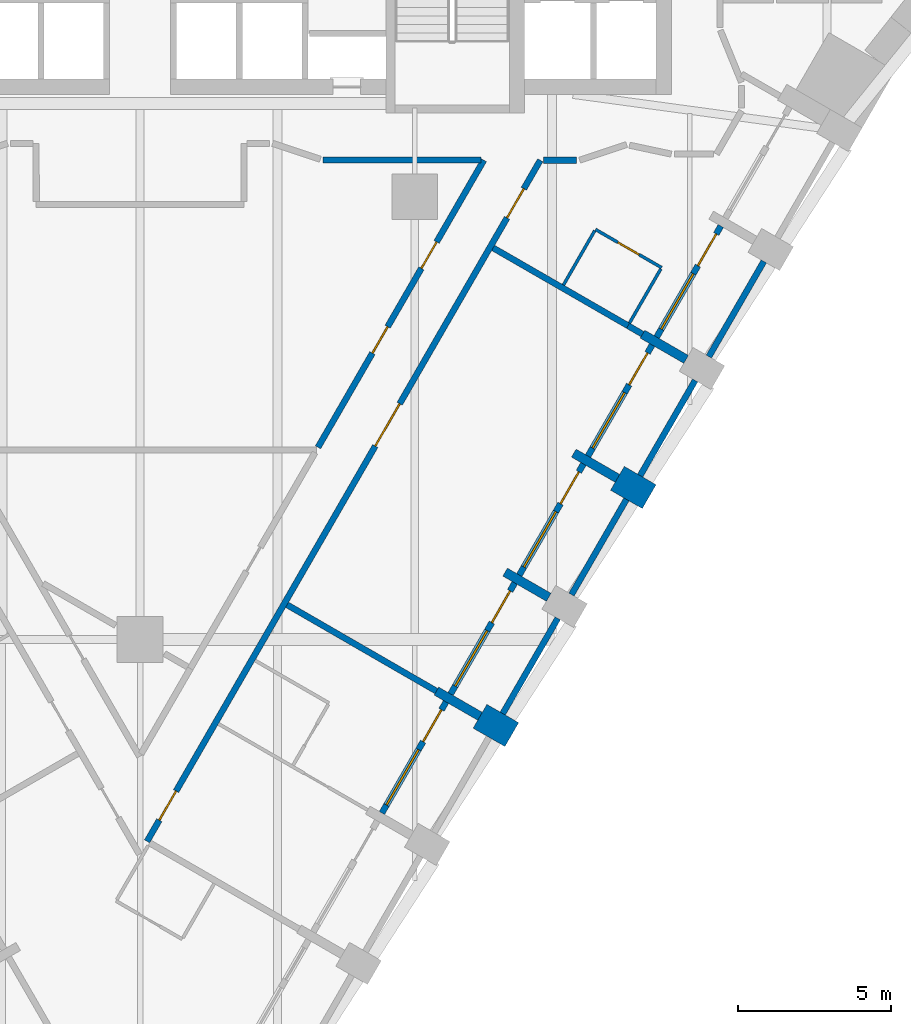
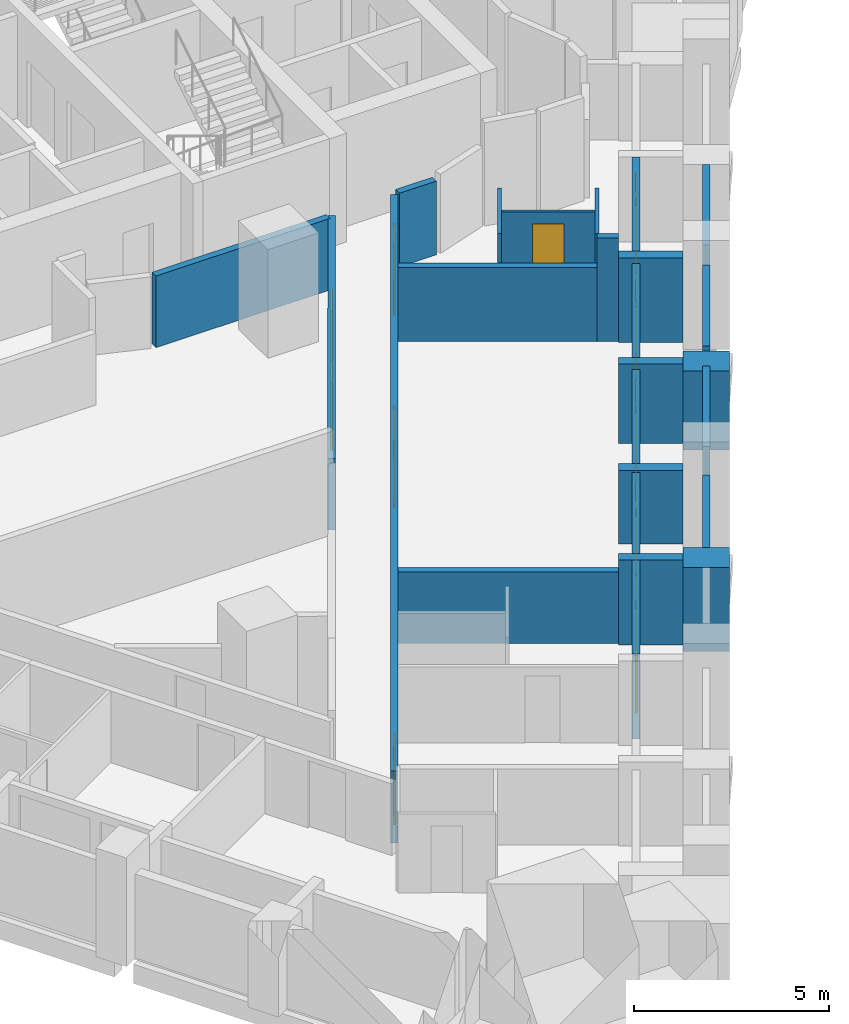
# One storey, part 5 of 11: 25 walls, 11 doors, 5 windows, 16 openings.
"""IFC4 building model written with IfcOpenShell, lengths in metres."""

from ifc_helpers import new_model, si_unit, direction, frame, frame_2d, origin, place, context, subcontext, project, spatial, rectangle, extrude, material, layer, layer_set, type_object, element, fill, save


model = new_model("IFC4")

# Units and contexts
model_context = context("Model", 3, precision=1e-05, world=origin(), true_north=direction((0.0, 1.0)))
body_context = subcontext(model_context, "Body", "Model", "MODEL_VIEW")
ifc_project = project(units=[si_unit("LENGTHUNIT", "METRE"), si_unit("AREAUNIT", "SQUARE_METRE"), si_unit("VOLUMEUNIT", "CUBIC_METRE"), si_unit("PLANEANGLEUNIT", "RADIAN"), si_unit("MASSUNIT", "GRAM", prefix="KILO")], contexts=[model_context])

# Site, building, storey
site_placement = place(None, origin())
site = spatial("IfcSite", under=ifc_project, at=site_placement, CompositionType="ELEMENT")
building_placement = place(site_placement, origin())
building = spatial("IfcBuilding", under=site, at=building_placement, Name="Calabash Gate Tower", CompositionType="ELEMENT")
storey_placement = place(building_placement, frame((0.0, 0.0, 122.39990234375)))
storey = spatial("IfcBuildingStorey", under=building, at=storey_placement, Name="L28", CompositionType="ELEMENT", Elevation=122.39990234375)

# Walls
ifc_material_1 = material(Name="Terracotta brick masonry, exposed face", Category="masonry")
ifc_layer_1 = layer(ifc_material_1, 1.199951171875)
ifc_layer_set_1 = layer_set([ifc_layer_1], Name="Brick end wall 1200")
wall_type_1 = type_object("IfcWallType", Name="Brick end wall 1200", PredefinedType="SOLIDWALL", material=ifc_layer_set_1)
wall_1_placement = place(storey_placement, frame((12.17626953125, -15.114990234375, 0.0), z_axis=(0.0, 0.0, 1.0), x_axis=(-0.866094119867, 0.499880961361, 0.0)))
element("IfcWall", 1, at=wall_1_placement, inside=storey, type_object=wall_type_1, Name="Brick pier S08 SE2.3", PredefinedType="SOLIDWALL", context=body_context, shape_type="SweptSolid", body=[
    extrude(rectangle(XDim=1.199951171875, YDim=0.89990234375, at=frame_2d((0.60009765625, 0.0))), origin(), (0.0, 0.0, 1.0), 2.630126953125),
])
wall_2_placement = place(storey_placement, frame((15.636962890625, -6.720947265625, 0.0), z_axis=(0.0, 0.0, 1.0), x_axis=(0.866094119867, -0.499880961361, 0.0)))
element("IfcWall", 2, at=wall_2_placement, inside=storey, type_object=wall_type_1, Name="Brick pier S08 SE2.5", PredefinedType="SOLIDWALL", context=body_context, shape_type="SweptSolid", body=[
    extrude(rectangle(XDim=1.199951171875, YDim=0.89990234375, at=frame_2d((0.60009765625, 0.0))), origin(), (0.0, 0.0, 1.0), 2.4736328125),
])
ifc_material_2 = material(Name="Terracotta brick masonry, exposed face", Category="masonry")
ifc_layer_2 = layer(ifc_material_2, 0.300048828125)
ifc_layer_set_2 = layer_set([ifc_layer_2], Name="Brick loggia cheek wall 300")
wall_type_2 = type_object("IfcWallType", Name="Brick loggia cheek wall 300", PredefinedType="SOLIDWALL", material=ifc_layer_set_2)
wall_3_placement = place(storey_placement, frame((9.7080078125, -13.690185546875, 0.0), z_axis=(0.0, 0.0, 1.0), x_axis=(0.866040211805, -0.499974350878, 0.0)))
element("IfcWall", 3, at=wall_3_placement, inside=storey, type_object=wall_type_2, Name="Loggia cheek S08 SE2.3", PredefinedType="SOLIDWALL", context=body_context, shape_type="SweptSolid", body=[
    extrude(rectangle(XDim=1.64990234375, YDim=0.300048828125, at=frame_2d((0.824951171875, 0.0))), origin(), (0.0, 0.0, 1.0), 2.650146484375),
])
wall_4_placement = place(storey_placement, frame((11.9580078125, -9.79296875, 0.0), z_axis=(0.0, 0.0, 1.0), x_axis=(0.866040211805, -0.499974350878, 0.0)))
element("IfcWall", 4, at=wall_4_placement, inside=storey, type_object=wall_type_2, Name="Loggia cheek S08 SE2.4", PredefinedType="SOLIDWALL", context=body_context, shape_type="SweptSolid", body=[
    extrude(rectangle(XDim=1.64990234375, YDim=0.300048828125, at=frame_2d((0.824951171875, 0.0))), origin(), (0.0, 0.0, 1.0), 2.30810546875),
])
wall_5_placement = place(storey_placement, frame((15.636962890625, -6.720947265625, 0.0), z_axis=(0.0, 0.0, 1.0), x_axis=(-0.865976140824, 0.500085316245, 0.0)))
element("IfcWall", 5, at=wall_5_placement, inside=storey, type_object=wall_type_2, Name="Loggia cheek S08 SE2.5", PredefinedType="SOLIDWALL", context=body_context, shape_type="SweptSolid", body=[
    extrude(rectangle(XDim=1.650146484375, YDim=0.300048828125, at=frame_2d((0.8251953125, 0.0))), origin(), (0.0, 0.0, 1.0), 2.4736328125),
])
wall_6_placement = place(storey_placement, frame((16.4580078125, -1.998779296875, 0.0), z_axis=(0.0, 0.0, 1.0), x_axis=(0.866040211805, -0.499974350878, 0.0)))
element("IfcWall", 6, at=wall_6_placement, inside=storey, type_object=wall_type_2, Name="Loggia cheek S08 SE2.6", PredefinedType="SOLIDWALL", context=body_context, shape_type="SweptSolid", body=[
    extrude(rectangle(XDim=1.64990234375, YDim=0.300048828125, at=frame_2d((0.824951171875, 0.0))), origin(), (0.0, 0.0, 1.0), 2.650146484375),
])
ifc_material_3 = material(Name="Gypsum board on steel studs, mineral wool", Category="steel")
ifc_layer_3 = layer(ifc_material_3, 0.10009765625)
ifc_layer_set_3 = layer_set([ifc_layer_3], Name="Partition 100 gypsum board")
wall_type_3 = type_object("IfcWallType", Name="Partition 100 gypsum board", PredefinedType="PARTITIONING", material=ifc_layer_set_3)
wall_7_placement = place(storey_placement, frame((16.030517578125, -1.635986328125, 0.0), z_axis=(0.0, 0.0, 1.0), x_axis=(0.500646589026, 0.865651773461, 0.0)))
element("IfcWall", 7, at=wall_7_placement, inside=storey, type_object=wall_type_3, Name="Partition", PredefinedType="PARTITIONING", context=body_context, shape_type="SweptSolid", body=[
    extrude(rectangle(XDim=2.050048828125, YDim=0.10009765625, at=frame_2d((1.02490234375, 0.0))), origin(), (0.0, 0.0, 1.0), 3.22998046875),
])

# Wall, opening, door
wall_8_placement = place(storey_placement, frame((14.9169921875, 1.431884765625, 0.0), z_axis=(0.0, 0.0, 1.0), x_axis=(0.866022959057, -0.500004234368, 0.0)))
wall_8 = element("IfcWall", 8, at=wall_8_placement, inside=storey, type_object=wall_type_3, Name="Partition", PredefinedType="PARTITIONING", context=body_context, shape_type="SweptSolid", body=[
    extrude(rectangle(XDim=2.5, YDim=0.10009765625, at=frame_2d((1.25, 0.0))), origin(), (0.0, 0.0, 1.0), 2.4736328125),
])
opening_1_placement = place(wall_8_placement, frame((0.85009765625, 0.0, 0.0)))
opening_1 = element("IfcOpeningElement", 9, at=opening_1_placement, cuts=wall_8, Name="Opening 28-30-014", PredefinedType="OPENING", context=body_context, shape_type="SweptSolid", body=[
    extrude(rectangle(XDim=0.800048828125, YDim=2.10009765625, at=frame_2d((0.39990234375, 1.050048828125))), frame((0.0, 0.06005859375, 0.0), z_axis=(0.0, -1.0, 0.0), x_axis=(1.0, 0.0, 0.0)), (0.0, 0.0, 1.0), 0.1201171875),
])
ifc_material_4 = material(Name="Painted timber door", Category="wood")
door_type_1 = type_object("IfcDoorType", Name="GD5 En-suite door 800x2100", OperationType="NOTDEFINED", PredefinedType="DOOR", material=ifc_material_4)
door_1_placement = place(opening_1_placement, origin())
door_1 = element("IfcDoor", 10, at=door_1_placement, inside=storey, type_object=door_type_1, Name="En-suite door", OperationType="SINGLE_SWING_RIGHT", OverallHeight=2.10009765625, OverallWidth=0.800048828125, PredefinedType="DOOR", context=body_context, shape_type="SweptSolid", body=[
    extrude(rectangle(XDim=0.800048828125, YDim=2.10009765625, at=frame_2d((0.39990234375, 1.050048828125))), frame((0.0, 0.02490234375, 0.0), z_axis=(0.0, -1.0, 0.0), x_axis=(1.0, 0.0, 0.0)), (0.0, 0.0, 1.0), 0.050048828125),
])
fill(opening_1, door_1)

# Walls
wall_9_placement = place(storey_placement, frame((13.868408203125, -0.387451171875, 0.0), z_axis=(0.0, 0.0, 1.0), x_axis=(0.499265284884, 0.866449176415, 0.0)))
element("IfcWall", 11, at=wall_9_placement, inside=storey, type_object=wall_type_3, Name="Partition", PredefinedType="PARTITIONING", context=body_context, shape_type="SweptSolid", body=[
    extrude(rectangle(XDim=2.0498046875, YDim=0.10009765625, at=frame_2d((1.02490234375, 0.0))), origin(), (0.0, 0.0, 1.0), 3.22998046875),
])
ifc_material_5 = material(Name="Gypsum board on steel studs, mineral wool", Category="steel")
ifc_layer_4 = layer(ifc_material_5, 0.199951171875)
ifc_layer_set_4 = layer_set([ifc_layer_4], Name="Partition 200 gypsum board EI 60")
wall_type_4 = type_object("IfcWallType", Name="Partition 200 gypsum board EI 60", PredefinedType="PARTITIONING", material=ifc_layer_set_4)
wall_10_placement = place(storey_placement, frame((4.816162109375, -10.863525390625, 0.0), z_axis=(0.0, 0.0, 1.0), x_axis=(0.865863825321, -0.500279757735, 0.0)))
element("IfcWall", 12, at=wall_10_placement, inside=storey, type_object=wall_type_4, Name="Partition", PredefinedType="PARTITIONING", context=body_context, shape_type="SweptSolid", body=[
    extrude(rectangle(XDim=5.649658203125, YDim=0.199951171875, at=frame_2d((2.82470703125, 0.0))), origin(), (0.0, 0.0, 1.0), 2.24169921875),
])

# Wall, openings, doors
wall_11_placement = place(storey_placement, frame((5.8291015625, -5.70458984375, 0.0), z_axis=(0.0, 0.0, 1.0), x_axis=(0.500142759665, 0.865942965763, 0.0)))
wall_11 = element("IfcWall", 13, at=wall_11_placement, inside=storey, type_object=wall_type_4, Name="Partition", PredefinedType="PARTITIONING", context=body_context, shape_type="SweptSolid", body=[
    extrude(rectangle(XDim=10.860107421875, YDim=0.199951171875, at=frame_2d((5.43017578125, 0.0))), origin(), (0.0, 0.0, 1.0), 2.24169921875),
])
opening_2_placement = place(wall_11_placement, frame((6.768310546875, 0.0, 0.0)))
opening_2 = element("IfcOpeningElement", 14, at=opening_2_placement, cuts=wall_11, Name="Opening 28-30-011", PredefinedType="OPENING", context=body_context, shape_type="SweptSolid", body=[
    extrude(rectangle(XDim=1.0, YDim=2.10009765625, at=frame_2d((0.5, 1.050048828125))), frame((0.0, 0.10986328125, 0.0), z_axis=(0.0, -1.0, 0.0), x_axis=(1.0, 0.0, 0.0)), (0.0, 0.0, 1.0), 0.219970703125),
])
opening_3_placement = place(wall_11_placement, frame((3.56298828125, 0.0, 0.0)))
opening_3 = element("IfcOpeningElement", 15, at=opening_3_placement, cuts=wall_11, Name="Opening 28-30-025", PredefinedType="OPENING", context=body_context, shape_type="SweptSolid", body=[
    extrude(rectangle(XDim=1.0, YDim=2.10009765625, at=frame_2d((0.5, 1.050048828125))), frame((0.0, 0.10986328125, 0.0), z_axis=(0.0, -1.0, 0.0), x_axis=(1.0, 0.0, 0.0)), (0.0, 0.0, 1.0), 0.219970703125),
])
ifc_material_6 = material(Name="Steel fire door set with fire-resisting glazing", Category="steel")
door_type_2 = type_object("IfcDoorType", Name="LD2 Meeting room door 1000x2100", OperationType="NOTDEFINED", PredefinedType="DOOR", material=ifc_material_6)
door_2_placement = place(opening_2_placement, origin())
door_2 = element("IfcDoor", 16, at=door_2_placement, inside=storey, type_object=door_type_2, Name="Meeting room door", OperationType="SINGLE_SWING_RIGHT", OverallHeight=2.10009765625, OverallWidth=1.0, PredefinedType="DOOR", context=body_context, shape_type="SweptSolid", body=[
    extrude(rectangle(XDim=1.0, YDim=2.10009765625, at=frame_2d((0.5, 1.050048828125))), frame((0.0, 0.02490234375, 0.0), z_axis=(0.0, -1.0, 0.0), x_axis=(1.0, 0.0, 0.0)), (0.0, 0.0, 1.0), 0.050048828125),
])
fill(opening_2, door_2)
door_3_placement = place(opening_3_placement, origin())
door_3 = element("IfcDoor", 17, at=door_3_placement, inside=storey, type_object=door_type_2, Name="Meeting room door", OperationType="SINGLE_SWING_LEFT", OverallHeight=2.10009765625, OverallWidth=1.0, PredefinedType="DOOR", context=body_context, shape_type="SweptSolid", body=[
    extrude(rectangle(XDim=1.0, YDim=2.10009765625, at=frame_2d((0.5, 1.050048828125))), frame((0.0, 0.02490234375, 0.0), z_axis=(0.0, -1.0, 0.0), x_axis=(1.0, 0.0, 0.0)), (0.0, 0.0, 1.0), 0.050048828125),
])
fill(opening_3, door_3)

# Walls
wall_12_placement = place(storey_placement, frame((15.98291015625, -1.72216796875, 0.0), z_axis=(0.0, 0.0, 1.0), x_axis=(0.864695615284, -0.502296220281, 0.0)))
element("IfcWall", 18, at=wall_12_placement, inside=storey, type_object=wall_type_4, Name="Partition", PredefinedType="PARTITIONING", context=body_context, shape_type="SweptSolid", body=[
    extrude(rectangle(XDim=0.5498046875, YDim=0.199951171875, at=frame_2d((0.27490234375, 0.0))), origin(), (0.0, 0.0, 1.0), 3.22998046875),
])
wall_13_placement = place(storey_placement, frame((11.565673828125, 0.826416015625, 0.0), z_axis=(0.0, 0.0, 1.0), x_axis=(0.866318662666, -0.499491716364, 0.0)))
element("IfcWall", 19, at=wall_13_placement, inside=storey, type_object=wall_type_4, Name="Partition", PredefinedType="PARTITIONING", context=body_context, shape_type="SweptSolid", body=[
    extrude(rectangle(XDim=5.099365234375, YDim=0.199951171875, at=frame_2d((2.5498046875, 0.0))), origin(), (0.0, 0.0, 1.0), 2.30810546875),
])
wall_14_placement = place(storey_placement, frame((6.0, 3.69970703125, 0.0), z_axis=(0.0, 0.0, 1.0), x_axis=(1.0, 0.0, 0.0)))
element("IfcWall", 20, at=wall_14_placement, inside=storey, type_object=wall_type_4, Name="Partition", PredefinedType="PARTITIONING", context=body_context, shape_type="SweptSolid", body=[
    extrude(rectangle(XDim=5.160888671875, YDim=0.199951171875, at=frame_2d((2.58056640625, 0.0))), origin(), (0.0, 0.0, 1.0), 2.24169921875),
])

# Wall, openings, doors
wall_15_placement = place(storey_placement, frame((0.22998046875, -18.6103515625, 0.0), z_axis=(0.0, 0.0, 1.0), x_axis=(0.499999197515, 0.866025867099, 0.0)))
wall_15 = element("IfcWall", 21, at=wall_15_placement, inside=storey, type_object=wall_type_4, Name="Partition", PredefinedType="PARTITIONING", context=body_context, shape_type="SweptSolid", body=[
    extrude(rectangle(XDim=25.76025390625, YDim=0.199951171875, at=frame_2d((12.880126953125, 0.0))), origin(), (0.0, 0.0, 1.0), 2.24169921875),
])
opening_4_placement = place(wall_15_placement, frame((0.800048828125, 0.0, 0.0)))
opening_4 = element("IfcOpeningElement", 22, at=opening_4_placement, cuts=wall_15, Name="Opening 28-30-007", PredefinedType="OPENING", context=body_context, shape_type="SweptSolid", body=[
    extrude(rectangle(XDim=1.10009765625, YDim=2.10009765625, at=frame_2d((0.550048828125, 1.050048828125))), frame((0.0, 0.10986328125, 0.0), z_axis=(0.0, -1.0, 0.0), x_axis=(1.0, 0.0, 0.0)), (0.0, 0.0, 1.0), 0.219970703125),
])
opening_5_placement = place(wall_15_placement, frame((14.9501953125, 0.0, 0.0)))
opening_5 = element("IfcOpeningElement", 23, at=opening_5_placement, cuts=wall_15, Name="Opening 28-30-010", PredefinedType="OPENING", context=body_context, shape_type="SweptSolid", body=[
    extrude(rectangle(XDim=1.60009765625, YDim=2.10009765625, at=frame_2d((0.800048828125, 1.050048828125))), frame((0.0, 0.10986328125, 0.0), z_axis=(0.0, -1.0, 0.0), x_axis=(1.0, 0.0, 0.0)), (0.0, 0.0, 1.0), 0.219970703125),
])
opening_6_placement = place(wall_15_placement, frame((23.580322265625, 0.0, 0.0)))
opening_6 = element("IfcOpeningElement", 24, at=opening_6_placement, cuts=wall_15, Name="Opening 28-30-023", PredefinedType="OPENING", context=body_context, shape_type="SweptSolid", body=[
    extrude(rectangle(XDim=1.10009765625, YDim=2.10009765625, at=frame_2d((0.550048828125, 1.050048828125))), frame((0.0, 0.10986328125, 0.0), z_axis=(0.0, -1.0, 0.0), x_axis=(1.0, 0.0, 0.0)), (0.0, 0.0, 1.0), 0.219970703125),
])
ifc_material_7 = material(Name="Steel fire door set with fire-resisting glazing", Category="steel")
door_type_3 = type_object("IfcDoorType", Name="GD3 Suite entrance door 1100x2100", OperationType="NOTDEFINED", PredefinedType="DOOR", material=ifc_material_7)
door_4_placement = place(opening_4_placement, origin())
door_4 = element("IfcDoor", 25, at=door_4_placement, inside=storey, type_object=door_type_3, Name="Suite entrance door", OperationType="SINGLE_SWING_RIGHT", OverallHeight=2.10009765625, OverallWidth=1.10009765625, PredefinedType="DOOR", context=body_context, shape_type="SweptSolid", body=[
    extrude(rectangle(XDim=1.10009765625, YDim=2.10009765625, at=frame_2d((0.550048828125, 1.050048828125))), frame((0.0, 0.02490234375, 0.0), z_axis=(0.0, -1.0, 0.0), x_axis=(1.0, 0.0, 0.0)), (0.0, 0.0, 1.0), 0.050048828125),
])
fill(opening_4, door_4)
door_5_placement = place(opening_6_placement, origin())
door_5 = element("IfcDoor", 26, at=door_5_placement, inside=storey, type_object=door_type_3, Name="Suite entrance door", OperationType="SINGLE_SWING_LEFT", OverallHeight=2.10009765625, OverallWidth=1.10009765625, PredefinedType="DOOR", context=body_context, shape_type="SweptSolid", body=[
    extrude(rectangle(XDim=1.10009765625, YDim=2.10009765625, at=frame_2d((0.550048828125, 1.050048828125))), frame((0.0, 0.02490234375, 0.0), z_axis=(0.0, -1.0, 0.0), x_axis=(1.0, 0.0, 0.0)), (0.0, 0.0, 1.0), 0.050048828125),
])
fill(opening_6, door_5)
ifc_material_8 = material(Name="Steel fire door set with fire-resisting glazing", Category="steel")
door_type_4 = type_object("IfcDoorType", Name="LD1 Lounge double door 1600x2100", OperationType="NOTDEFINED", PredefinedType="DOOR", material=ifc_material_8)
door_6_placement = place(opening_5_placement, origin())
door_6 = element("IfcDoor", 27, at=door_6_placement, inside=storey, type_object=door_type_4, Name="Lounge double door", OperationType="DOUBLE_DOOR_SINGLE_SWING", OverallHeight=2.10009765625, OverallWidth=1.60009765625, PredefinedType="DOOR", context=body_context, shape_type="SweptSolid", body=[
    extrude(rectangle(XDim=1.60009765625, YDim=2.10009765625, at=frame_2d((0.800048828125, 1.050048828125))), frame((0.0, 0.02490234375, 0.0), z_axis=(0.0, -1.0, 0.0), x_axis=(1.0, 0.0, 0.0)), (0.0, 0.0, 1.0), 0.050048828125),
])
fill(opening_5, door_6)

# Walls
wall_16_placement = place(storey_placement, frame((13.208984375, 3.699462890625, 0.0), z_axis=(0.0, 0.0, 1.0), x_axis=(1.0, 0.0, 0.0)))
element("IfcWall", 28, at=wall_16_placement, inside=storey, type_object=wall_type_4, Name="Partition", PredefinedType="PARTITIONING", context=body_context, shape_type="SweptSolid", body=[
    extrude(rectangle(XDim=1.091064453125, YDim=0.199951171875, at=frame_2d((0.54541015625, 0.0))), origin(), (0.0, 0.0, 1.0), 2.30810546875),
])
ifc_material_9 = material(Name="Terracotta brick masonry, perforated", Category="masonry")
ifc_layer_5 = layer(ifc_material_9, 0.199951171875)
ifc_layer_set_5 = layer_set([ifc_layer_5], Name="Terracotta jaali screen B")
wall_type_5 = type_object("IfcWallType", Name="Terracotta jaali screen B", PredefinedType="SOLIDWALL", material=ifc_layer_set_5)
wall_17_placement = place(storey_placement, frame((11.881591796875, -14.42529296875, 0.0), z_axis=(0.0, 0.0, 1.0), x_axis=(0.500012057535, 0.866018442252, 0.0)))
element("IfcWall", 29, at=wall_17_placement, inside=storey, type_object=wall_type_5, Name="SCREEN B S08 SE2.4", PredefinedType="SOLIDWALL", context=body_context, shape_type="SweptSolid", body=[
    extrude(rectangle(XDim=3.60009765625, YDim=0.199951171875, at=frame_2d((1.800048828125, 0.0))), origin(), (0.0, 0.0, 1.0), 2.3740234375),
])
for number, where, z_axis, x_axis, name in (
    (30, (14.131591796875, -10.5283203125, 0.0), (0.0, 0.0, 1.0), (0.500012057535, 0.866018442252, 0.0), "SCREEN B S08 SE2.5"),
    (31, (16.381591796875, -6.631103515625, 0.0), (0.0, 0.0, 1.0), (0.500012057535, 0.866018442252, 0.0), "SCREEN B S08 SE2.6"),
):
    element("IfcWall", number, at=place(storey_placement, frame(where, z_axis=z_axis, x_axis=x_axis)), inside=storey, type_object=wall_type_5, Name=name, PredefinedType="SOLIDWALL", context=body_context, shape_type="SweptSolid", body=[
        extrude(rectangle(XDim=3.60009765625, YDim=0.199951171875, at=frame_2d((1.800048828125, 0.0))), origin(), (0.0, 0.0, 1.0), 2.630126953125),
    ])
wall_18_placement = place(storey_placement, frame((18.631591796875, -2.734130859375, 0.0), z_axis=(0.0, 0.0, 1.0), x_axis=(0.499982693035, 0.866035395735, 0.0)))
element("IfcWall", 32, at=wall_18_placement, inside=storey, type_object=wall_type_5, Name="SCREEN B S08 SE2.7", PredefinedType="SOLIDWALL", context=body_context, shape_type="SweptSolid", body=[
    extrude(rectangle(XDim=3.600341796875, YDim=0.199951171875, at=frame_2d((1.80029296875, 0.0))), origin(), (0.0, 0.0, 1.0), 2.630126953125),
])

# Wall, openings, door, window
ifc_material_10 = material(Name="Aluminium framed window wall with insulated spandrel", Category="aluminium")
ifc_layer_6 = layer(ifc_material_10, 0.199951171875)
ifc_layer_set_6 = layer_set([ifc_layer_6], Name="Window wall 200")
wall_type_6 = type_object("IfcWallType", Name="Window wall 200", PredefinedType="ELEMENTEDWALL", material=ifc_layer_set_6)
wall_19_placement = place(storey_placement, frame((7.9228515625, -17.682373046875, 0.0), z_axis=(0.0, 0.0, 1.0), x_axis=(0.499958946799, 0.866049104564, 0.0)))
wall_19 = element("IfcWall", 33, at=wall_19_placement, inside=storey, type_object=wall_type_6, Name="Window wall S08 SE2.3", PredefinedType="ELEMENTEDWALL", context=body_context, shape_type="SweptSolid", body=[
    extrude(rectangle(XDim=4.199951171875, YDim=0.199951171875, at=frame_2d((2.10009765625, 0.0))), origin(), (0.0, 0.0, 1.0), 2.650146484375),
])
opening_7_placement = place(wall_19_placement, frame((0.300048828125, 0.0, 0.60009765625)))
opening_7 = element("IfcOpeningElement", 34, at=opening_7_placement, cuts=wall_19, Name="Opening HW1", PredefinedType="OPENING", context=body_context, shape_type="SweptSolid", body=[
    extrude(rectangle(XDim=2.10009765625, YDim=1.800048828125, at=frame_2d((1.050048828125, 0.89990234375))), frame((0.0, 0.10986328125, 0.0), z_axis=(0.0, -1.0, 0.0), x_axis=(1.0, 0.0, 0.0)), (0.0, 0.0, 1.0), 0.219970703125),
])
opening_8_placement = place(wall_19_placement, frame((2.699951171875, 0.0, 0.0)))
opening_8 = element("IfcOpeningElement", 35, at=opening_8_placement, cuts=wall_19, Name="Opening H8-020", PredefinedType="OPENING", context=body_context, shape_type="SweptSolid", body=[
    extrude(rectangle(XDim=1.199951171875, YDim=2.39990234375, at=frame_2d((0.60009765625, 1.199951171875))), frame((0.0, 0.10986328125, 0.0), z_axis=(0.0, -1.0, 0.0), x_axis=(1.0, 0.0, 0.0)), (0.0, 0.0, 1.0), 0.219970703125),
])
ifc_material_11 = material(Name="Anodised aluminium frame, bronze finish, impact-rated laminated clear glazing", Category="aluminium")
door_type_5 = type_object("IfcDoorType", Name="Loggia door DH1 1200x2400", OperationType="SLIDING_TO_LEFT", PredefinedType="DOOR", material=ifc_material_11)
door_7_placement = place(opening_8_placement, origin())
door_7 = element("IfcDoor", 36, at=door_7_placement, inside=storey, type_object=door_type_5, Name="Loggia door S08 SE2.3", OperationType="SINGLE_SWING_LEFT", OverallHeight=2.39990234375, OverallWidth=1.199951171875, PredefinedType="DOOR", context=body_context, shape_type="SweptSolid", body=[
    extrude(rectangle(XDim=1.199951171875, YDim=2.39990234375, at=frame_2d((0.60009765625, 1.199951171875))), frame((0.0, 0.02490234375, 0.0), z_axis=(0.0, -1.0, 0.0), x_axis=(1.0, 0.0, 0.0)), (0.0, 0.0, 1.0), 0.050048828125),
])
fill(opening_8, door_7)
ifc_material_12 = material(Name="Anodised aluminium frame, bronze finish, impact-rated laminated clear glazing", Category="aluminium")
window_type_1 = type_object("IfcWindowType", Name="Window HW1 2100x1800", PartitioningType="DOUBLE_PANEL_VERTICAL", PredefinedType="WINDOW", material=ifc_material_12)
window_1_placement = place(opening_7_placement, origin())
window_1 = element("IfcWindow", 37, at=window_1_placement, inside=storey, type_object=window_type_1, Name="Window HW1 S08 SE2.3", OverallHeight=1.800048828125, OverallWidth=2.10009765625, PartitioningType="SINGLE_PANEL", PredefinedType="WINDOW", context=body_context, shape_type="SweptSolid", body=[
    extrude(rectangle(XDim=2.10009765625, YDim=1.800048828125, at=frame_2d((1.050048828125, 0.89990234375))), frame((0.0, 0.030029296875, 0.0), z_axis=(0.0, -1.0, 0.0), x_axis=(1.0, 0.0, 0.0)), (0.0, 0.0, 1.0), 0.06005859375),
])
fill(opening_7, window_1)

wall_20_placement = place(storey_placement, frame((10.1728515625, -13.78515625, 0.0), z_axis=(0.0, 0.0, 1.0), x_axis=(0.49998411664, 0.866034573852, 0.0)))
wall_20 = element("IfcWall", 38, at=wall_20_placement, inside=storey, type_object=wall_type_6, Name="Window wall S08 SE2.4", PredefinedType="ELEMENTEDWALL", context=body_context, shape_type="SweptSolid", body=[
    extrude(rectangle(XDim=4.199951171875, YDim=0.199951171875, at=frame_2d((2.10009765625, 0.0))), origin(), (0.0, 0.0, 1.0), 2.24169921875),
])
opening_9_placement = place(wall_20_placement, frame((0.300048828125, 0.0, 0.60009765625)))
opening_9 = element("IfcOpeningElement", 39, at=opening_9_placement, cuts=wall_20, Name="Opening HW1L-1540", PredefinedType="OPENING", context=body_context, shape_type="SweptSolid", body=[
    extrude(rectangle(XDim=2.10009765625, YDim=1.5400390625, at=frame_2d((1.050048828125, 0.77001953125))), frame((0.0, 0.10986328125, 0.0), z_axis=(0.0, -1.0, 0.0), x_axis=(1.0, 0.0, 0.0)), (0.0, 0.0, 1.0), 0.219970703125),
])
opening_10_placement = place(wall_20_placement, frame((2.699951171875, 0.0, 0.0)))
opening_10 = element("IfcOpeningElement", 40, at=opening_10_placement, cuts=wall_20, Name="Opening H8-021", PredefinedType="OPENING", context=body_context, shape_type="SweptSolid", body=[
    extrude(rectangle(XDim=1.199951171875, YDim=2.139892578125, at=frame_2d((0.60009765625, 1.06982421875))), frame((0.0, 0.10986328125, 0.0), z_axis=(0.0, -1.0, 0.0), x_axis=(1.0, 0.0, 0.0)), (0.0, 0.0, 1.0), 0.219970703125),
])
ifc_material_13 = material(Name="Anodised aluminium frame, bronze finish, impact-rated laminated clear glazing", Category="aluminium")
door_type_6 = type_object("IfcDoorType", Name="Loggia door DH1L-2140 1200x2140", OperationType="SLIDING_TO_LEFT", PredefinedType="DOOR", material=ifc_material_13)
door_8_placement = place(opening_10_placement, origin())
door_8 = element("IfcDoor", 41, at=door_8_placement, inside=storey, type_object=door_type_6, Name="Loggia door S08 SE2.4", OperationType="SINGLE_SWING_LEFT", OverallHeight=2.139892578125, OverallWidth=1.199951171875, PredefinedType="DOOR", context=body_context, shape_type="SweptSolid", body=[
    extrude(rectangle(XDim=1.199951171875, YDim=2.139892578125, at=frame_2d((0.60009765625, 1.06982421875))), frame((0.0, 0.02490234375, 0.0), z_axis=(0.0, -1.0, 0.0), x_axis=(1.0, 0.0, 0.0)), (0.0, 0.0, 1.0), 0.050048828125),
])
fill(opening_10, door_8)
ifc_material_14 = material(Name="Anodised aluminium frame, bronze finish, impact-rated laminated clear glazing", Category="aluminium")
window_type_2 = type_object("IfcWindowType", Name="Window HW1L 2100x1540", PartitioningType="DOUBLE_PANEL_VERTICAL", PredefinedType="WINDOW", material=ifc_material_14)
window_2_placement = place(opening_9_placement, origin())
window_2 = element("IfcWindow", 42, at=window_2_placement, inside=storey, type_object=window_type_2, Name="Window HW1 S08 SE2.4", OverallHeight=1.5400390625, OverallWidth=2.10009765625, PartitioningType="SINGLE_PANEL", PredefinedType="WINDOW", context=body_context, shape_type="SweptSolid", body=[
    extrude(rectangle(XDim=2.10009765625, YDim=1.5400390625, at=frame_2d((1.050048828125, 0.77001953125))), frame((0.0, 0.030029296875, 0.0), z_axis=(0.0, -1.0, 0.0), x_axis=(1.0, 0.0, 0.0)), (0.0, 0.0, 1.0), 0.06005859375),
])
fill(opening_9, window_2)

wall_21_placement = place(storey_placement, frame((12.4228515625, -9.887939453125, 0.0), z_axis=(0.0, 0.0, 1.0), x_axis=(0.49998411664, 0.866034573852, 0.0)))
wall_21 = element("IfcWall", 43, at=wall_21_placement, inside=storey, type_object=wall_type_6, Name="Window wall S08 SE2.5", PredefinedType="ELEMENTEDWALL", context=body_context, shape_type="SweptSolid", body=[
    extrude(rectangle(XDim=4.199951171875, YDim=0.199951171875, at=frame_2d((2.10009765625, 0.0))), origin(), (0.0, 0.0, 1.0), 2.30810546875),
])
opening_11_placement = place(wall_21_placement, frame((0.300048828125, 0.0, 0.60009765625)))
opening_11 = element("IfcOpeningElement", 44, at=opening_11_placement, cuts=wall_21, Name="Opening HW1L-1610", PredefinedType="OPENING", context=body_context, shape_type="SweptSolid", body=[
    extrude(rectangle(XDim=2.10009765625, YDim=1.610107421875, at=frame_2d((1.050048828125, 0.80517578125))), frame((0.0, 0.10986328125, 0.0), z_axis=(0.0, -1.0, 0.0), x_axis=(1.0, 0.0, 0.0)), (0.0, 0.0, 1.0), 0.219970703125),
])
opening_12_placement = place(wall_21_placement, frame((2.699951171875, 0.0, 0.0)))
opening_12 = element("IfcOpeningElement", 45, at=opening_12_placement, cuts=wall_21, Name="Opening H8-022", PredefinedType="OPENING", context=body_context, shape_type="SweptSolid", body=[
    extrude(rectangle(XDim=1.199951171875, YDim=2.2099609375, at=frame_2d((0.60009765625, 1.10498046875))), frame((0.0, 0.10986328125, 0.0), z_axis=(0.0, -1.0, 0.0), x_axis=(1.0, 0.0, 0.0)), (0.0, 0.0, 1.0), 0.219970703125),
])
ifc_material_15 = material(Name="Anodised aluminium frame, bronze finish, impact-rated laminated clear glazing", Category="aluminium")
door_type_7 = type_object("IfcDoorType", Name="Loggia door DH1L-2210 1200x2210", OperationType="SLIDING_TO_LEFT", PredefinedType="DOOR", material=ifc_material_15)
door_9_placement = place(opening_12_placement, origin())
door_9 = element("IfcDoor", 46, at=door_9_placement, inside=storey, type_object=door_type_7, Name="Loggia door S08 SE2.5", OperationType="SINGLE_SWING_LEFT", OverallHeight=2.2099609375, OverallWidth=1.199951171875, PredefinedType="DOOR", context=body_context, shape_type="SweptSolid", body=[
    extrude(rectangle(XDim=1.199951171875, YDim=2.2099609375, at=frame_2d((0.60009765625, 1.10498046875))), frame((0.0, 0.02490234375, 0.0), z_axis=(0.0, -1.0, 0.0), x_axis=(1.0, 0.0, 0.0)), (0.0, 0.0, 1.0), 0.050048828125),
])
fill(opening_12, door_9)
ifc_material_16 = material(Name="Anodised aluminium frame, bronze finish, impact-rated laminated clear glazing", Category="aluminium")
window_type_3 = type_object("IfcWindowType", Name="Window HW1L 2100x1610", PartitioningType="DOUBLE_PANEL_VERTICAL", PredefinedType="WINDOW", material=ifc_material_16)
window_3_placement = place(opening_11_placement, origin())
window_3 = element("IfcWindow", 47, at=window_3_placement, inside=storey, type_object=window_type_3, Name="Window HW1 S08 SE2.5", OverallHeight=1.610107421875, OverallWidth=2.10009765625, PartitioningType="SINGLE_PANEL", PredefinedType="WINDOW", context=body_context, shape_type="SweptSolid", body=[
    extrude(rectangle(XDim=2.10009765625, YDim=1.610107421875, at=frame_2d((1.050048828125, 0.80517578125))), frame((0.0, 0.030029296875, 0.0), z_axis=(0.0, -1.0, 0.0), x_axis=(1.0, 0.0, 0.0)), (0.0, 0.0, 1.0), 0.06005859375),
])
fill(opening_11, window_3)

wall_22_placement = place(storey_placement, frame((14.6728515625, -5.990966796875, 0.0), z_axis=(0.0, 0.0, 1.0), x_axis=(0.499958946799, 0.866049104564, 0.0)))
wall_22 = element("IfcWall", 48, at=wall_22_placement, inside=storey, type_object=wall_type_6, Name="Window wall S08 SE2.6", PredefinedType="ELEMENTEDWALL", context=body_context, shape_type="SweptSolid", body=[
    extrude(rectangle(XDim=4.199951171875, YDim=0.199951171875, at=frame_2d((2.10009765625, 0.0))), origin(), (0.0, 0.0, 1.0), 2.4736328125),
])
opening_13_placement = place(wall_22_placement, frame((0.300048828125, 0.0, 0.60009765625)))
opening_13 = element("IfcOpeningElement", 49, at=opening_13_placement, cuts=wall_22, Name="Opening HW1L-1770", PredefinedType="OPENING", context=body_context, shape_type="SweptSolid", body=[
    extrude(rectangle(XDim=2.10009765625, YDim=1.77001953125, at=frame_2d((1.050048828125, 0.885009765625))), frame((0.0, 0.10986328125, 0.0), z_axis=(0.0, -1.0, 0.0), x_axis=(1.0, 0.0, 0.0)), (0.0, 0.0, 1.0), 0.219970703125),
])
opening_14_placement = place(wall_22_placement, frame((2.699951171875, 0.0, 0.0)))
opening_14 = element("IfcOpeningElement", 50, at=opening_14_placement, cuts=wall_22, Name="Opening H8-023", PredefinedType="OPENING", context=body_context, shape_type="SweptSolid", body=[
    extrude(rectangle(XDim=1.199951171875, YDim=2.3701171875, at=frame_2d((0.60009765625, 1.18505859375))), frame((0.0, 0.10986328125, 0.0), z_axis=(0.0, -1.0, 0.0), x_axis=(1.0, 0.0, 0.0)), (0.0, 0.0, 1.0), 0.219970703125),
])
ifc_material_17 = material(Name="Anodised aluminium frame, bronze finish, impact-rated laminated clear glazing", Category="aluminium")
door_type_8 = type_object("IfcDoorType", Name="Loggia door DH1L-2370 1200x2370", OperationType="SLIDING_TO_LEFT", PredefinedType="DOOR", material=ifc_material_17)
door_10_placement = place(opening_14_placement, origin())
door_10 = element("IfcDoor", 51, at=door_10_placement, inside=storey, type_object=door_type_8, Name="Loggia door S08 SE2.6", OperationType="SINGLE_SWING_LEFT", OverallHeight=2.3701171875, OverallWidth=1.199951171875, PredefinedType="DOOR", context=body_context, shape_type="SweptSolid", body=[
    extrude(rectangle(XDim=1.199951171875, YDim=2.3701171875, at=frame_2d((0.60009765625, 1.18505859375))), frame((0.0, 0.02490234375, 0.0), z_axis=(0.0, -1.0, 0.0), x_axis=(1.0, 0.0, 0.0)), (0.0, 0.0, 1.0), 0.050048828125),
])
fill(opening_14, door_10)
ifc_material_18 = material(Name="Anodised aluminium frame, bronze finish, impact-rated laminated clear glazing", Category="aluminium")
window_type_4 = type_object("IfcWindowType", Name="Window HW1L 2100x1770", PartitioningType="DOUBLE_PANEL_VERTICAL", PredefinedType="WINDOW", material=ifc_material_18)
window_4_placement = place(opening_13_placement, origin())
window_4 = element("IfcWindow", 52, at=window_4_placement, inside=storey, type_object=window_type_4, Name="Window HW1 S08 SE2.6", OverallHeight=1.77001953125, OverallWidth=2.10009765625, PartitioningType="SINGLE_PANEL", PredefinedType="WINDOW", context=body_context, shape_type="SweptSolid", body=[
    extrude(rectangle(XDim=2.10009765625, YDim=1.77001953125, at=frame_2d((1.050048828125, 0.885009765625))), frame((0.0, 0.030029296875, 0.0), z_axis=(0.0, -1.0, 0.0), x_axis=(1.0, 0.0, 0.0)), (0.0, 0.0, 1.0), 0.06005859375),
])
fill(opening_13, window_4)

wall_23_placement = place(storey_placement, frame((16.9228515625, -2.09375, 0.0), z_axis=(0.0, 0.0, 1.0), x_axis=(0.49998411664, 0.866034573852, 0.0)))
wall_23 = element("IfcWall", 53, at=wall_23_placement, inside=storey, type_object=wall_type_6, Name="Window wall S08 SE2.7", PredefinedType="ELEMENTEDWALL", context=body_context, shape_type="SweptSolid", body=[
    extrude(rectangle(XDim=4.199951171875, YDim=0.199951171875, at=frame_2d((2.10009765625, 0.0))), origin(), (0.0, 0.0, 1.0), 2.650146484375),
])
opening_15_placement = place(wall_23_placement, frame((0.300048828125, 0.0, 0.60009765625)))
opening_15 = element("IfcOpeningElement", 54, at=opening_15_placement, cuts=wall_23, Name="Opening HW1", PredefinedType="OPENING", context=body_context, shape_type="SweptSolid", body=[
    extrude(rectangle(XDim=2.10009765625, YDim=1.800048828125, at=frame_2d((1.050048828125, 0.89990234375))), frame((0.0, 0.10986328125, 0.0), z_axis=(0.0, -1.0, 0.0), x_axis=(1.0, 0.0, 0.0)), (0.0, 0.0, 1.0), 0.219970703125),
])
opening_16_placement = place(wall_23_placement, frame((2.699951171875, 0.0, 0.0)))
opening_16 = element("IfcOpeningElement", 55, at=opening_16_placement, cuts=wall_23, Name="Opening H8-024", PredefinedType="OPENING", context=body_context, shape_type="SweptSolid", body=[
    extrude(rectangle(XDim=1.199951171875, YDim=2.39990234375, at=frame_2d((0.60009765625, 1.199951171875))), frame((0.0, 0.10986328125, 0.0), z_axis=(0.0, -1.0, 0.0), x_axis=(1.0, 0.0, 0.0)), (0.0, 0.0, 1.0), 0.219970703125),
])
door_11_placement = place(opening_16_placement, origin())
door_11 = element("IfcDoor", 56, at=door_11_placement, inside=storey, type_object=door_type_5, Name="Loggia door S08 SE2.7", OperationType="SINGLE_SWING_LEFT", OverallHeight=2.39990234375, OverallWidth=1.199951171875, PredefinedType="DOOR", context=body_context, shape_type="SweptSolid", body=[
    extrude(rectangle(XDim=1.199951171875, YDim=2.39990234375, at=frame_2d((0.60009765625, 1.199951171875))), frame((0.0, 0.02490234375, 0.0), z_axis=(0.0, -1.0, 0.0), x_axis=(1.0, 0.0, 0.0)), (0.0, 0.0, 1.0), 0.050048828125),
])
fill(opening_16, door_11)
window_5_placement = place(opening_15_placement, origin())
window_5 = element("IfcWindow", 57, at=window_5_placement, inside=storey, type_object=window_type_1, Name="Window HW1 S08 SE2.7", OverallHeight=1.800048828125, OverallWidth=2.10009765625, PartitioningType="SINGLE_PANEL", PredefinedType="WINDOW", context=body_context, shape_type="SweptSolid", body=[
    extrude(rectangle(XDim=2.10009765625, YDim=1.800048828125, at=frame_2d((1.050048828125, 0.89990234375))), frame((0.0, 0.030029296875, 0.0), z_axis=(0.0, -1.0, 0.0), x_axis=(1.0, 0.0, 0.0)), (0.0, 0.0, 1.0), 0.06005859375),
])
fill(opening_15, window_5)

save(model, "model.ifc")
